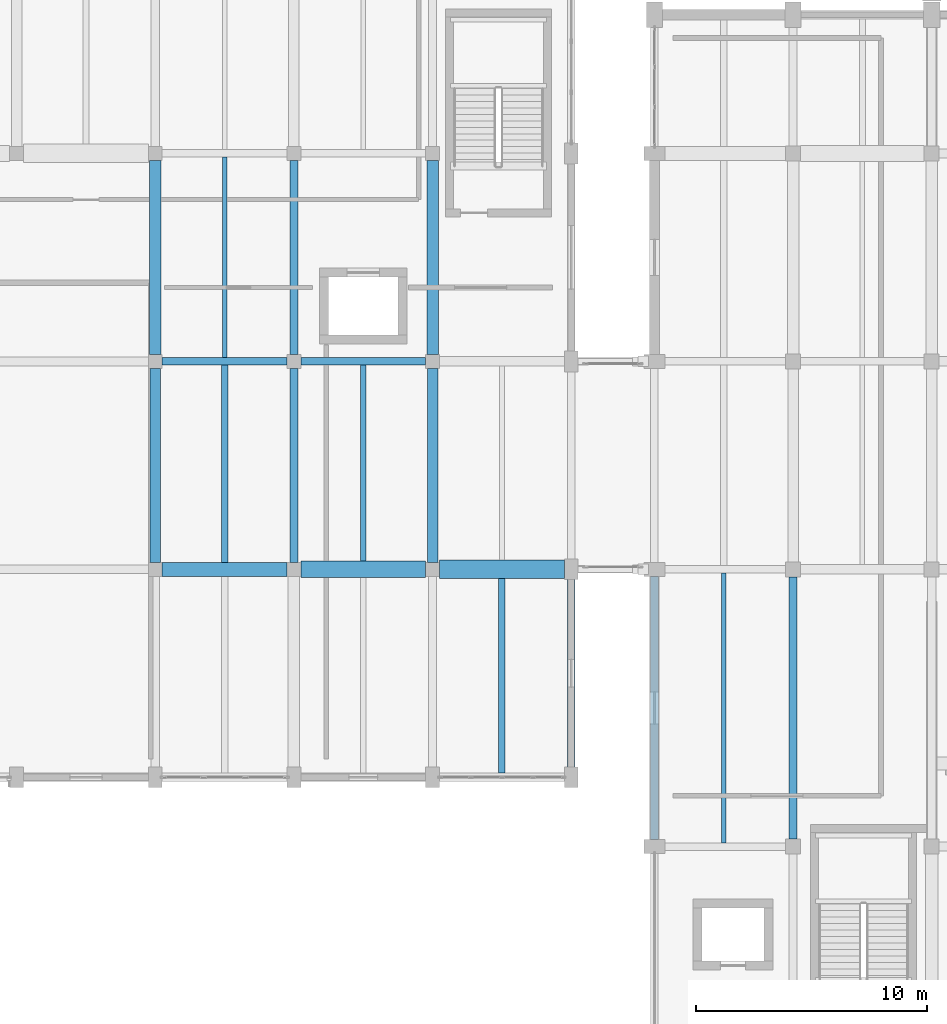
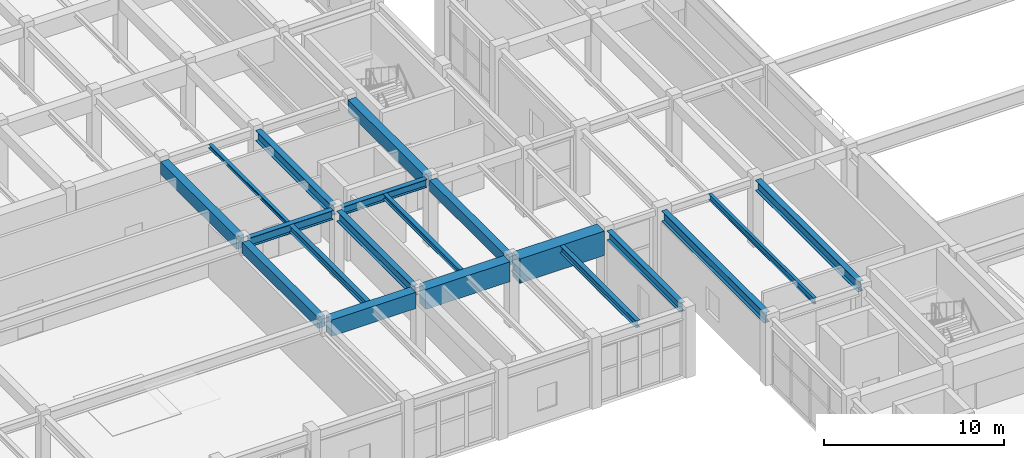
# One storey, part 13 of 85: 19 beams.
"""IFC4 building model written with IfcOpenShell, lengths in metres."""

from ifc_helpers import new_model, si_unit, direction, frame, origin, origin_2d, place, context, subcontext, project, spatial, rectangle, i_section, extrude, material, material_profile, profile_set, type_object, element, save


model = new_model("IFC4")

# Units and contexts
model_context = context("Model", 3, precision=1e-05, world=origin(), true_north=direction((0.0, 1.0)))
body_context = subcontext(model_context, "Body", "Model", "MODEL_VIEW")
ifc_project = project(units=[si_unit("LENGTHUNIT", "METRE"), si_unit("AREAUNIT", "SQUARE_METRE"), si_unit("VOLUMEUNIT", "CUBIC_METRE"), si_unit("PLANEANGLEUNIT", "RADIAN"), si_unit("MASSUNIT", "GRAM", prefix="KILO")], contexts=[model_context])

# Site, building, storey
site_placement = place(None, origin())
site = spatial("IfcSite", under=ifc_project, at=site_placement, CompositionType="ELEMENT")
building_placement = place(site_placement, origin())
building = spatial("IfcBuilding", under=site, at=building_placement, Name="Vaelkrest Opera House", CompositionType="ELEMENT")
storey_placement = place(building_placement, frame((0.0, 0.0, 10.199951171875)))
storey = spatial("IfcBuildingStorey", under=building, at=storey_placement, Name="L02", CompositionType="ELEMENT", Elevation=10.199951171875)

# Beams
ifc_material_1 = material(Name="Concrete C50/60", Category="concrete")
ifc_material_profile_1 = material_profile(ifc_material_1, rectangle(XDim=0.449951171875, YDim=0.75, at=origin_2d()), Name="RCB450X750")
ifc_profile_set_1 = profile_set([ifc_material_profile_1], Name="Concrete C50/60")
beam_type_1 = type_object("IfcBeamType", Name="B02", PredefinedType="BEAM", material=ifc_profile_set_1)
for number, where, z_axis, x_axis, name in (
    (1, (-51.60009765625, -7.5, 4.130126953125), (0.0, 1.0, 0.0), (-1.0, 0.0, 0.0), "Beam BM-V3-L02-1683"),
    (2, (-39.60009765625, -7.5, 4.130126953125), (0.0, 1.0, 0.0), (-1.0, 0.0, 0.0), "Beam BM-V3-L02-1695"),
):
    element("IfcBeam", number, at=place(storey_placement, frame(where, z_axis=z_axis, x_axis=x_axis)), inside=storey, type_object=beam_type_1, Name=name, PredefinedType="BEAM", context=body_context, shape_type="SweptSolid", body=[
        extrude(rectangle(XDim=0.449951171875, YDim=0.75, at=origin_2d()), origin(), (0.0, 0.0, 1.0), 8.39990234375),
    ])
ifc_material_profile_2 = material_profile(ifc_material_1, rectangle(XDim=0.5, YDim=0.85009765625, at=origin_2d()), Name="RCB500X850")
ifc_profile_set_2 = profile_set([ifc_material_profile_2], Name="Concrete C50/60")
beam_type_2 = type_object("IfcBeamType", Name="B03", PredefinedType="BEAM", material=ifc_profile_set_2)
for number, where, z_axis, x_axis, name in (
    (3, (-51.60009765625, 1.5, 4.080078125), (0.0, 1.0, 0.0), (-1.0, 0.0, 0.0), "Beam BM-V3-L02-1684"),
    (4, (-39.60009765625, 1.5, 4.080078125), (0.0, 1.0, 0.0), (-1.0, 0.0, 0.0), "Beam BM-V3-L02-1696"),
):
    element("IfcBeam", number, at=place(storey_placement, frame(where, z_axis=z_axis, x_axis=x_axis)), inside=storey, type_object=beam_type_2, Name=name, PredefinedType="BEAM", context=body_context, shape_type="SweptSolid", body=[
        extrude(rectangle(XDim=0.5, YDim=0.85009765625, at=origin_2d()), origin(), (0.0, 0.0, 1.0), 8.39990234375),
    ])
ifc_material_profile_3 = material_profile(ifc_material_1, rectangle(XDim=0.60009765625, YDim=1.10009765625, at=origin_2d()), Name="RCB600X1100")
ifc_profile_set_3 = profile_set([ifc_material_profile_3], Name="Concrete C50/60")
beam_type_3 = type_object("IfcBeamType", Name="B05", PredefinedType="BEAM", material=ifc_profile_set_3)
beam_1_placement = place(storey_placement, frame((-51.300048828125, -7.800048828125, 3.955078125), z_axis=(1.0, 0.0, 0.0), x_axis=(0.0, 1.0, 0.0)))
element("IfcBeam", 5, at=beam_1_placement, inside=storey, type_object=beam_type_3, Name="Beam BM-V3-L02-1630", PredefinedType="BEAM", context=body_context, shape_type="SweptSolid", body=[
    extrude(rectangle(XDim=0.60009765625, YDim=1.10009765625, at=origin_2d()), origin(), (0.0, 0.0, 1.0), 5.400146484375),
])
ifc_material_profile_4 = material_profile(ifc_material_1, rectangle(XDim=0.699951171875, YDim=1.35009765625, at=origin_2d()), Name="RCB700X1350")
ifc_profile_set_4 = profile_set([ifc_material_profile_4], Name="Concrete C50/60")
beam_type_4 = type_object("IfcBeamType", Name="B06", PredefinedType="BEAM", material=ifc_profile_set_4)
beam_2_placement = place(storey_placement, frame((-45.300048828125, -7.800048828125, 3.830078125), z_axis=(1.0, 0.0, 0.0), x_axis=(0.0, 1.0, 0.0)))
element("IfcBeam", 6, at=beam_2_placement, inside=storey, type_object=beam_type_4, Name="Beam BM-V3-L02-1631", PredefinedType="BEAM", context=body_context, shape_type="SweptSolid", body=[
    extrude(rectangle(XDim=0.699951171875, YDim=1.35009765625, at=origin_2d()), origin(), (0.0, 0.0, 1.0), 5.400146484375),
])
ifc_material_profile_5 = material_profile(ifc_material_1, rectangle(XDim=0.800048828125, YDim=1.64990234375, at=origin_2d()), Name="RCB800X1650")
ifc_profile_set_5 = profile_set([ifc_material_profile_5], Name="Concrete C50/60")
beam_type_5 = type_object("IfcBeamType", Name="B07", PredefinedType="BEAM", material=ifc_profile_set_5)
beam_3_placement = place(storey_placement, frame((-39.300048828125, -7.800048828125, 3.679931640625), z_axis=(1.0, 0.0, 0.0), x_axis=(0.0, 1.0, 0.0)))
element("IfcBeam", 7, at=beam_3_placement, inside=storey, type_object=beam_type_5, Name="Beam BM-V3-L02-1632", PredefinedType="BEAM", context=body_context, shape_type="SweptSolid", body=[
    extrude(rectangle(XDim=0.800048828125, YDim=1.64990234375, at=origin_2d()), origin(), (0.0, 0.0, 1.0), 5.400146484375),
])
ifc_material_2 = material(Name="Steel A992 Gr50", Category="steel")
ifc_material_profile_6 = material_profile(ifc_material_2, i_section(OverallWidth=0.35498046875, OverallDepth=0.695068359375, WebThickness=0.015380859375, FlangeThickness=0.02490234375, at=origin_2d()), Name="W27X146")
ifc_profile_set_6 = profile_set([ifc_material_profile_6], Name="Steel A992 Gr50")
beam_type_6 = type_object("IfcBeamType", Name="B10", PredefinedType="BEAM", material=ifc_profile_set_6)
beam_4_placement = place(storey_placement, frame((-45.60009765625, -7.5, 4.157470703125), z_axis=(0.0, 1.0, 0.0), x_axis=(-1.0, 0.0, 0.0)))
element("IfcBeam", 8, at=beam_4_placement, inside=storey, type_object=beam_type_6, Name="Beam BM-V3-L02-1689", PredefinedType="BEAM", context=body_context, shape_type="SweptSolid", body=[
    extrude(i_section(OverallWidth=0.35498046875, OverallDepth=0.695068359375, WebThickness=0.015380859375, FlangeThickness=0.02490234375, at=origin_2d()), origin(), (0.0, 0.0, 1.0), 8.39990234375),
])
ifc_material_profile_7 = material_profile(ifc_material_2, i_section(OverallWidth=0.35791015625, OverallDepth=0.7060546875, WebThickness=0.018310546875, FlangeThickness=0.0302734375, at=origin_2d()), Name="W27X178")
ifc_profile_set_7 = profile_set([ifc_material_profile_7], Name="Steel A992 Gr50")
beam_type_7 = type_object("IfcBeamType", Name="B14", PredefinedType="BEAM", material=ifc_profile_set_7)
beam_5_placement = place(storey_placement, frame((-24.0, -19.47509765625, 4.152099609375), z_axis=(0.0, 1.0, 0.0), x_axis=(-1.0, 0.0, 0.0)))
element("IfcBeam", 9, at=beam_5_placement, inside=storey, type_object=beam_type_7, Name="Beam BM-V1-L02-0374", PredefinedType="BEAM", context=body_context, shape_type="SweptSolid", body=[
    extrude(i_section(OverallWidth=0.35791015625, OverallDepth=0.7060546875, WebThickness=0.018310546875, FlangeThickness=0.0302734375, at=origin_2d()), origin(), (0.0, 0.0, 1.0), 11.35009765625),
])
beam_6_placement = place(storey_placement, frame((-45.60009765625, 1.5, 4.152099609375), z_axis=(0.0, 1.0, 0.0), x_axis=(-1.0, 0.0, 0.0)))
element("IfcBeam", 10, at=beam_6_placement, inside=storey, type_object=beam_type_7, Name="Beam BM-V3-L02-1690", PredefinedType="BEAM", context=body_context, shape_type="SweptSolid", body=[
    extrude(i_section(OverallWidth=0.35791015625, OverallDepth=0.7060546875, WebThickness=0.018310546875, FlangeThickness=0.0302734375, at=origin_2d()), origin(), (0.0, 0.0, 1.0), 8.39990234375),
])
ifc_material_profile_8 = material_profile(ifc_material_2, i_section(OverallWidth=0.326904296875, OverallDepth=0.6220703125, WebThickness=0.015380859375, FlangeThickness=0.0244140625, at=origin_2d()), Name="W24X131")
ifc_profile_set_8 = profile_set([ifc_material_profile_8], Name="Steel A992 Gr50")
beam_type_8 = type_object("IfcBeamType", Name="B19", PredefinedType="BEAM", material=ifc_profile_set_8)
beam_7_placement = place(storey_placement, frame((-51.300048828125, 1.199951171875, 4.194091796875), z_axis=(1.0, 0.0, 0.0), x_axis=(0.0, 1.0, 0.0)))
element("IfcBeam", 11, at=beam_7_placement, inside=storey, type_object=beam_type_8, Name="Beam BM-V3-L02-1635", PredefinedType="BEAM", context=body_context, shape_type="SweptSolid", body=[
    extrude(i_section(OverallWidth=0.326904296875, OverallDepth=0.6220703125, WebThickness=0.015380859375, FlangeThickness=0.0244140625, at=origin_2d()), origin(), (0.0, 0.0, 1.0), 5.400146484375),
])
ifc_material_profile_9 = material_profile(ifc_material_2, i_section(OverallWidth=0.31494140625, OverallDepth=0.551025390625, WebThickness=0.01513671875, FlangeThickness=0.0244140625, at=origin_2d()), Name="W21X122")
ifc_profile_set_9 = profile_set([ifc_material_profile_9], Name="Steel A992 Gr50")
beam_type_9 = type_object("IfcBeamType", Name="B20", PredefinedType="BEAM", material=ifc_profile_set_9)
beam_8_placement = place(storey_placement, frame((-45.300048828125, 1.199951171875, 4.2294921875), z_axis=(1.0, 0.0, 0.0), x_axis=(0.0, 1.0, 0.0)))
element("IfcBeam", 12, at=beam_8_placement, inside=storey, type_object=beam_type_9, Name="Beam BM-V3-L02-1636", PredefinedType="BEAM", context=body_context, shape_type="SweptSolid", body=[
    extrude(i_section(OverallWidth=0.31494140625, OverallDepth=0.551025390625, WebThickness=0.01513671875, FlangeThickness=0.0244140625, at=origin_2d()), origin(), (0.0, 0.0, 1.0), 5.400146484375),
])
ifc_material_profile_10 = material_profile(ifc_material_2, i_section(OverallWidth=0.2041015625, OverallDepth=0.257080078125, WebThickness=0.0087890625, FlangeThickness=0.015625, at=origin_2d()), Name="W10X45")
ifc_profile_set_10 = profile_set([ifc_material_profile_10], Name="Steel A992 Gr50")
beam_type_10 = type_object("IfcBeamType", Name="J01", PredefinedType="JOIST", material=ifc_profile_set_10)
beam_9_placement = place(storey_placement, frame((-48.60009765625, 1.363525390625, 4.37646484375), z_axis=(0.0, 1.0, 0.0), x_axis=(-1.0, 0.0, 0.0)))
element("IfcBeam", 13, at=beam_9_placement, inside=storey, type_object=beam_type_10, Name="Floor joist JST-V3-L02-1721", PredefinedType="JOIST", context=body_context, shape_type="SweptSolid", body=[
    extrude(i_section(OverallWidth=0.2041015625, OverallDepth=0.257080078125, WebThickness=0.0087890625, FlangeThickness=0.015625, at=origin_2d()), origin(), (0.0, 0.0, 1.0), 8.674560546875),
])
ifc_material_profile_11 = material_profile(ifc_material_2, i_section(OverallWidth=0.257080078125, OverallDepth=0.363037109375, WebThickness=0.012939453125, FlangeThickness=0.021728515625, at=origin_2d()), Name="W14X82")
ifc_profile_set_11 = profile_set([ifc_material_profile_11], Name="Steel A992 Gr50")
beam_type_11 = type_object("IfcBeamType", Name="J06", PredefinedType="JOIST", material=ifc_profile_set_11)
beam_10_placement = place(storey_placement, frame((-42.60009765625, -7.449951171875, 4.323486328125), z_axis=(0.0, 1.0, 0.0), x_axis=(-1.0, 0.0, 0.0)))
element("IfcBeam", 14, at=beam_10_placement, inside=storey, type_object=beam_type_11, Name="Floor joist JST-V3-L02-1726", PredefinedType="JOIST", context=body_context, shape_type="SweptSolid", body=[
    extrude(i_section(OverallWidth=0.257080078125, OverallDepth=0.363037109375, WebThickness=0.012939453125, FlangeThickness=0.021728515625, at=origin_2d()), origin(), (0.0, 0.0, 1.0), 8.492431640625),
])
ifc_material_profile_12 = material_profile(ifc_material_2, i_section(OverallWidth=0.180908203125, OverallDepth=0.4169921875, WebThickness=0.010986328125, FlangeThickness=0.018310546875, at=origin_2d()), Name="W16X57")
ifc_profile_set_12 = profile_set([ifc_material_profile_12], Name="Steel A992 Gr50")
beam_type_12 = type_object("IfcBeamType", Name="J07", PredefinedType="JOIST", material=ifc_profile_set_12)
beam_11_placement = place(storey_placement, frame((-27.0, -19.637939453125, 4.296630859375), z_axis=(0.0, 1.0, 0.0), x_axis=(-1.0, 0.0, 0.0)))
element("IfcBeam", 15, at=beam_11_placement, inside=storey, type_object=beam_type_12, Name="Floor joist JST-V1-L02-0407", PredefinedType="JOIST", context=body_context, shape_type="SweptSolid", body=[
    extrude(i_section(OverallWidth=0.180908203125, OverallDepth=0.4169921875, WebThickness=0.010986328125, FlangeThickness=0.018310546875, at=origin_2d()), origin(), (0.0, 0.0, 1.0), 11.680419921875),
])
ifc_material_profile_13 = material_profile(ifc_material_2, i_section(OverallWidth=0.282958984375, OverallDepth=0.471923828125, WebThickness=0.013671875, FlangeThickness=0.022216796875, at=origin_2d()), Name="W18X97")
ifc_profile_set_13 = profile_set([ifc_material_profile_13], Name="Steel A992 Gr50")
beam_type_13 = type_object("IfcBeamType", Name="J10", PredefinedType="JOIST", material=ifc_profile_set_13)
beam_12_placement = place(storey_placement, frame((-48.60009765625, -7.5, 4.26904296875), z_axis=(0.0, 1.0, 0.0), x_axis=(-1.0, 0.0, 0.0)))
element("IfcBeam", 16, at=beam_12_placement, inside=storey, type_object=beam_type_13, Name="Floor joist JST-V3-L02-1720", PredefinedType="JOIST", context=body_context, shape_type="SweptSolid", body=[
    extrude(i_section(OverallWidth=0.282958984375, OverallDepth=0.471923828125, WebThickness=0.013671875, FlangeThickness=0.022216796875, at=origin_2d()), origin(), (0.0, 0.0, 1.0), 8.53662109375),
])
beam_13_placement = place(storey_placement, frame((-36.60009765625, -16.62255859375, 4.26904296875), z_axis=(0.0, 1.0, 0.0), x_axis=(-1.0, 0.0, 0.0)))
element("IfcBeam", 17, at=beam_13_placement, inside=storey, type_object=beam_type_13, Name="Floor joist JST-V3-L02-1730", PredefinedType="JOIST", context=body_context, shape_type="SweptSolid", body=[
    extrude(i_section(OverallWidth=0.282958984375, OverallDepth=0.471923828125, WebThickness=0.013671875, FlangeThickness=0.022216796875, at=origin_2d()), origin(), (0.0, 0.0, 1.0), 8.422607421875),
])
ifc_material_profile_14 = material_profile(ifc_material_2, i_section(OverallWidth=0.323974609375, OverallDepth=0.611083984375, WebThickness=0.0126953125, FlangeThickness=0.01904296875, at=origin_2d()), Name="W24X104")
ifc_profile_set_14 = profile_set([ifc_material_profile_14], Name="Steel A992 Gr50")
beam_type_14 = type_object("IfcBeamType", Name="SP01", PredefinedType="SPANDREL", material=ifc_profile_set_14)
beam_14_placement = place(storey_placement, frame((-33.60009765625, -16.35009765625, 4.199462890625), z_axis=(0.0, 1.0, 0.0), x_axis=(-1.0, 0.0, 0.0)))
element("IfcBeam", 18, at=beam_14_placement, inside=storey, type_object=beam_type_14, Name="Beam BM-V3-L02-1700", PredefinedType="SPANDREL", context=body_context, shape_type="SweptSolid", body=[
    extrude(i_section(OverallWidth=0.323974609375, OverallDepth=0.611083984375, WebThickness=0.0126953125, FlangeThickness=0.01904296875, at=origin_2d()), origin(), (0.0, 0.0, 1.0), 8.10009765625),
])
ifc_material_profile_15 = material_profile(ifc_material_2, i_section(OverallWidth=0.35498046875, OverallDepth=0.695068359375, WebThickness=0.015380859375, FlangeThickness=0.02490234375, at=origin_2d()), Name="W27X146")
ifc_profile_set_15 = profile_set([ifc_material_profile_15], Name="Steel A992 Gr50")
beam_type_15 = type_object("IfcBeamType", Name="SP02", PredefinedType="SPANDREL", material=ifc_profile_set_15)
beam_15_placement = place(storey_placement, frame((-30.0, -19.5, 4.157470703125), z_axis=(0.0, 1.0, 0.0), x_axis=(-1.0, 0.0, 0.0)))
element("IfcBeam", 19, at=beam_15_placement, inside=storey, type_object=beam_type_15, Name="Beam BM-V1-L02-0369", PredefinedType="SPANDREL", context=body_context, shape_type="SweptSolid", body=[
    extrude(i_section(OverallWidth=0.35498046875, OverallDepth=0.695068359375, WebThickness=0.015380859375, FlangeThickness=0.02490234375, at=origin_2d()), origin(), (0.0, 0.0, 1.0), 11.39990234375),
])

save(model, "model.ifc")
